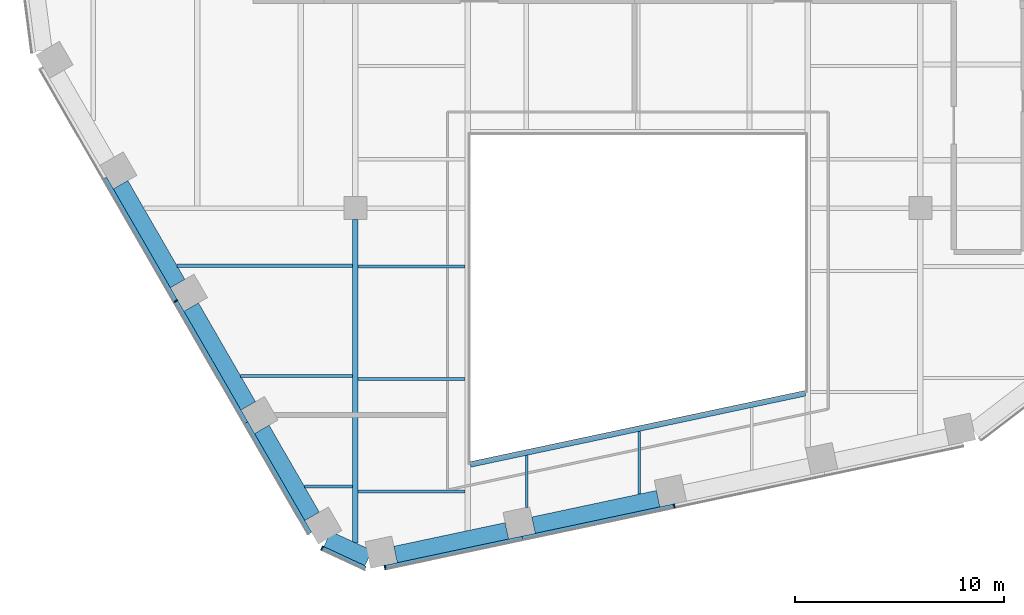
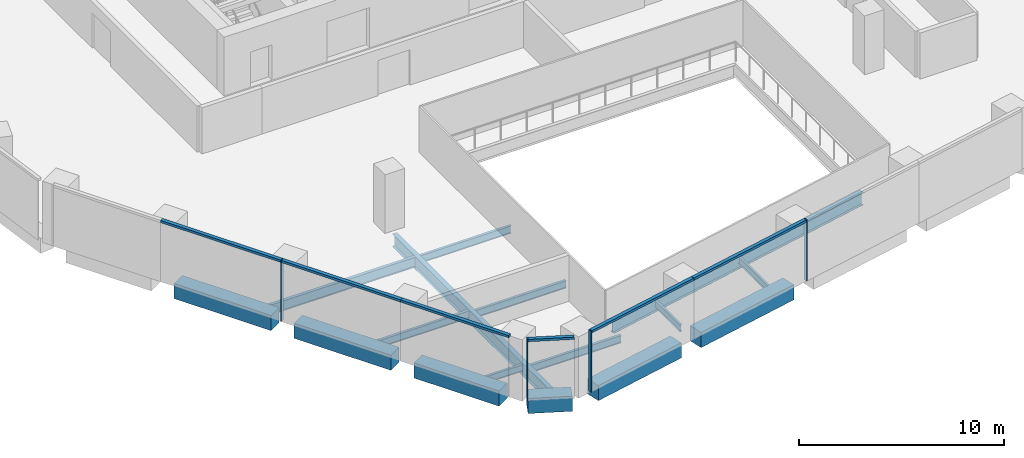
# One storey, part 2 of 16: 16 beams, 10 members, 3 elements without a shape of their own.
"""IFC4 building model written with IfcOpenShell, lengths in metres."""

from ifc_helpers import new_model, si_unit, direction, frame, origin, origin_2d, place, context, subcontext, project, spatial, rectangle, i_section, extrude, material, layer, layer_set, material_profile, profile_set, type_object, element, aggregate, save


model = new_model("IFC4")

# Units and contexts
model_context = context("Model", 3, precision=1e-05, world=origin(), true_north=direction((0.0, 1.0)))
body_context = subcontext(model_context, "Body", "Model", "MODEL_VIEW")
ifc_project = project(units=[si_unit("LENGTHUNIT", "METRE"), si_unit("AREAUNIT", "SQUARE_METRE"), si_unit("VOLUMEUNIT", "CUBIC_METRE"), si_unit("PLANEANGLEUNIT", "RADIAN"), si_unit("MASSUNIT", "GRAM", prefix="KILO")], contexts=[model_context])

# Site, building, storey
site_placement = place(None, origin())
site = spatial("IfcSite", under=ifc_project, at=site_placement, CompositionType="ELEMENT")
building_placement = place(site_placement, origin())
building = spatial("IfcBuilding", under=site, at=building_placement, Name="Isthmus Gate Tower", CompositionType="ELEMENT")
storey_placement = place(building_placement, frame((0.0, 0.0, 196.35009765625)))
storey = spatial("IfcBuildingStorey", under=building, at=storey_placement, Name="L49", CompositionType="ELEMENT", Elevation=196.35009765625)

# Curtain wall, member
ifc_material_1 = material(Name="Aluminium, pale champagne anodised", Category="aluminium")
ifc_layer = layer(ifc_material_1, 0.199951171875)
ifc_layer_set = layer_set([ifc_layer], Name="CW-1 UNITISED CURTAIN WALL 200 DEEP")
curtain_wall_type = type_object("IfcCurtainWallType", Name="CW-1 UNITISED CURTAIN WALL 200 DEEP", PredefinedType="NOTDEFINED", material=ifc_layer_set)
curtain_wall_1_placement = place(storey_placement, origin())
curtain_wall_1 = element("IfcCurtainWall", 1, at=curtain_wall_1_placement, inside=storey, type_object=curtain_wall_type, Name="CW-1 SW L49", PredefinedType="NOTDEFINED")
ifc_material_2 = material(Name="Aluminium, pale champagne anodised", Category="aluminium")
ifc_material_profile_1 = material_profile(ifc_material_2, rectangle(XDim=0.06005859375, YDim=0.199951171875, at=origin_2d()), Name="60x200")
ifc_profile_set_1 = profile_set([ifc_material_profile_1], Name="Aluminium, pale champagne anodised")
member_type_1 = type_object("IfcMemberType", Name="CW-1 MULLION 60 X 200", PredefinedType="MULLION", material=ifc_profile_set_1)
member_1_placement = place(storey_placement, frame((-22.08935546875, -17.93994140625, 0.0), z_axis=(0.0, 0.0, 1.0), x_axis=(0.5, -0.866025403784, 0.0)))
member_1 = element("IfcMember", 2, at=member_1_placement, type_object=member_type_1, Name="CW-1 mullion", PredefinedType="MULLION", context=body_context, shape_type="SweptSolid", body=[
    extrude(rectangle(XDim=0.06005859375, YDim=0.199951171875, at=origin_2d()), origin(), (0.0, 0.0, 1.0), 3.64990234375),
])

curtain_wall_2_placement = place(storey_placement, origin())
curtain_wall_2 = element("IfcCurtainWall", 3, at=curtain_wall_2_placement, inside=storey, type_object=curtain_wall_type, Name="CW-1 SW-S L49", PredefinedType="NOTDEFINED")
member_2_placement = place(storey_placement, frame((-15.091064453125, -29.74755859375, 0.0), z_axis=(0.0, 0.0, 1.0), x_axis=(0.907256261367, -0.420578264073, 0.0)))
member_2 = element("IfcMember", 4, at=member_2_placement, type_object=member_type_1, Name="CW-1 mullion", PredefinedType="MULLION", context=body_context, shape_type="SweptSolid", body=[
    extrude(rectangle(XDim=0.06005859375, YDim=0.199951171875, at=origin_2d()), origin(), (0.0, 0.0, 1.0), 3.64990234375),
])

# Curtain wall, members
curtain_wall_3_placement = place(storey_placement, origin())
curtain_wall_3 = element("IfcCurtainWall", 5, at=curtain_wall_3_placement, inside=storey, type_object=curtain_wall_type, Name="CW-1 S L49", PredefinedType="NOTDEFINED")
member_3_placement = place(storey_placement, frame((-12.082763671875, -30.67041015625, 0.0), z_axis=(0.0, 0.0, 1.0), x_axis=(0.978147600734, 0.207911690818, 0.0)))
member_3 = element("IfcMember", 6, at=member_3_placement, type_object=member_type_1, Name="CW-1 mullion", PredefinedType="MULLION", context=body_context, shape_type="SweptSolid", body=[
    extrude(rectangle(XDim=0.06005859375, YDim=0.199951171875, at=origin_2d()), origin(), (0.0, 0.0, 1.0), 3.64990234375),
])
member_4_placement = place(storey_placement, frame((1.740234375, -27.732421875, 0.0), z_axis=(0.0, 0.0, 1.0), x_axis=(0.978147600734, 0.207911690818, 0.0)))
member_4 = element("IfcMember", 7, at=member_4_placement, type_object=member_type_1, Name="CW-1 mullion", PredefinedType="MULLION", context=body_context, shape_type="SweptSolid", body=[
    extrude(rectangle(XDim=0.06005859375, YDim=0.199951171875, at=origin_2d()), origin(), (0.0, 0.0, 1.0), 3.64990234375),
])

# Member
ifc_material_3 = material(Name="Aluminium, pale champagne anodised", Category="aluminium")
ifc_material_profile_2 = material_profile(ifc_material_3, rectangle(XDim=0.199951171875, YDim=0.139892578125, at=origin_2d()), Name="200x140")
ifc_profile_set_2 = profile_set([ifc_material_profile_2], Name="Aluminium, pale champagne anodised")
member_type_2 = type_object("IfcMemberType", Name="CW-1 TRANSOM 200 X 140", PredefinedType="USERDEFINED", material=ifc_profile_set_2)
member_5_placement = place(storey_placement, frame((-25.4794921875, -12.068115234375, 3.579833984375), z_axis=(0.49998230858, -0.86603561769, 0.0), x_axis=(0.86603561769, 0.49998230858, 0.0)))
member_5 = element("IfcMember", 8, at=member_5_placement, type_object=member_type_2, Name="CW-1 transom", ObjectType="TRANSOM", PredefinedType="USERDEFINED", context=body_context, shape_type="SweptSolid", body=[
    extrude(rectangle(XDim=0.199951171875, YDim=0.139892578125, at=origin_2d()), origin(), (0.0, 0.0, 1.0), 6.750244140625),
])

member_6_placement = place(storey_placement, frame((-22.074462890625, -17.9658203125, 3.579833984375), z_axis=(0.499981482168, -0.866036094796, 0.0), x_axis=(0.866036094796, 0.499981482168, 0.0)))
member_6 = element("IfcMember", 9, at=member_6_placement, type_object=member_type_2, Name="CW-1 transom", ObjectType="TRANSOM", PredefinedType="USERDEFINED", context=body_context, shape_type="SweptSolid", body=[
    extrude(rectangle(XDim=0.199951171875, YDim=0.139892578125, at=origin_2d()), origin(), (0.0, 0.0, 1.0), 6.690185546875),
])

member_7_placement = place(storey_placement, frame((-18.7294921875, -23.759765625, 3.579833984375), z_axis=(0.499991521122, -0.866030299012, 0.0), x_axis=(0.866030299012, 0.499991521122, 0.0)))
member_7 = element("IfcMember", 10, at=member_7_placement, type_object=member_type_2, Name="CW-1 transom", ObjectType="TRANSOM", PredefinedType="USERDEFINED", context=body_context, shape_type="SweptSolid", body=[
    extrude(rectangle(XDim=0.199951171875, YDim=0.139892578125, at=origin_2d()), origin(), (0.0, 0.0, 1.0), 6.10009765625),
])

aggregate(curtain_wall_1, [member_5, member_1, member_6, member_7])

member_8_placement = place(storey_placement, frame((-15.06396484375, -29.76025390625, 3.579833984375), z_axis=(0.907246225564, -0.420599912268, 0.0), x_axis=(0.420599912268, 0.907246225564, 0.0)))
member_8 = element("IfcMember", 11, at=member_8_placement, type_object=member_type_2, Name="CW-1 transom", ObjectType="TRANSOM", PredefinedType="USERDEFINED", context=body_context, shape_type="SweptSolid", body=[
    extrude(rectangle(XDim=0.199951171875, YDim=0.139892578125, at=origin_2d()), origin(), (0.0, 0.0, 1.0), 2.258544921875),
])

aggregate(curtain_wall_2, [member_2, member_8])

member_9_placement = place(storey_placement, frame((-12.05322265625, -30.664306640625, 3.579833984375), z_axis=(0.97814231579, 0.207936552972, 0.0), x_axis=(-0.207936552972, 0.97814231579, 0.0)))
member_9 = element("IfcMember", 12, at=member_9_placement, type_object=member_type_2, Name="CW-1 transom", ObjectType="TRANSOM", PredefinedType="USERDEFINED", context=body_context, shape_type="SweptSolid", body=[
    extrude(rectangle(XDim=0.199951171875, YDim=0.139892578125, at=origin_2d()), origin(), (0.0, 0.0, 1.0), 6.6806640625),
])

member_10_placement = place(storey_placement, frame((-5.5185546875, -29.275146484375, 3.579833984375), z_axis=(0.978147683684, 0.207911300568, 0.0), x_axis=(-0.207911300568, 0.978147683684, 0.0)))
member_10 = element("IfcMember", 13, at=member_10_placement, type_object=member_type_2, Name="CW-1 transom", ObjectType="TRANSOM", PredefinedType="USERDEFINED", context=body_context, shape_type="SweptSolid", body=[
    extrude(rectangle(XDim=0.199951171875, YDim=0.139892578125, at=origin_2d()), origin(), (0.0, 0.0, 1.0), 7.390869140625),
])

aggregate(curtain_wall_3, [member_3, member_9, member_10, member_4])

# Beams
ifc_material_4 = material(Name="Concrete f'c 60 MPa", Category="concrete")
ifc_material_profile_3 = material_profile(ifc_material_4, rectangle(XDim=0.800048828125, YDim=0.89990234375, at=origin_2d()), Name="RC 800X900")
ifc_profile_set_3 = profile_set([ifc_material_profile_3], Name="Concrete f'c 60 MPa")
beam_type_1 = type_object("IfcBeamType", Name="RC SPANDREL 800 X 900", PredefinedType="SPANDREL", material=ifc_profile_set_3)
beam_1_placement = place(storey_placement, frame((0.970947265625, -27.384765625, -0.4501953125), z_axis=(-0.978146012851, -0.207919161079, 0.0), x_axis=(0.207919161079, -0.978146012851, 0.0)))
element("IfcBeam", 14, at=beam_1_placement, inside=storey, type_object=beam_type_1, Name="str-spandrel-L49-13", PredefinedType="SPANDREL", context=body_context, shape_type="SweptSolid", body=[
    extrude(rectangle(XDim=0.800048828125, YDim=0.89990234375, at=origin_2d()), origin(), (0.0, 0.0, 1.0), 6.090576171875),
])
beam_2_placement = place(storey_placement, frame((-6.25830078125, -28.92138671875, -0.4501953125), z_axis=(-0.978150410773, -0.207898470186, 0.0), x_axis=(0.207898470186, -0.978150410773, 0.0)))
element("IfcBeam", 15, at=beam_2_placement, inside=storey, type_object=beam_type_1, Name="str-spandrel-L49-14", PredefinedType="SPANDREL", context=body_context, shape_type="SweptSolid", body=[
    extrude(rectangle(XDim=0.800048828125, YDim=0.89990234375, at=origin_2d()), origin(), (0.0, 0.0, 1.0), 5.440673828125),
])
beam_3_placement = place(storey_placement, frame((-12.87255859375, -30.224853515625, -0.4501953125), z_axis=(-0.907290744498, 0.420503870314, 0.0), x_axis=(-0.420503870314, -0.907290744498, 0.0)))
element("IfcBeam", 16, at=beam_3_placement, inside=storey, type_object=beam_type_1, Name="str-spandrel-L49-15", PredefinedType="SPANDREL", context=body_context, shape_type="SweptSolid", body=[
    extrude(rectangle(XDim=0.800048828125, YDim=0.89990234375, at=origin_2d()), origin(), (0.0, 0.0, 1.0), 2.173095703125),
])
beam_4_placement = place(storey_placement, frame((-15.5712890625, -28.229736328125, -0.4501953125), z_axis=(-0.500017431331, 0.866015339567, 0.0), x_axis=(-0.866015339567, -0.500017431331, 0.0)))
element("IfcBeam", 17, at=beam_4_placement, inside=storey, type_object=beam_type_1, Name="str-spandrel-L49-16", PredefinedType="SPANDREL", context=body_context, shape_type="SweptSolid", body=[
    extrude(rectangle(XDim=0.800048828125, YDim=0.89990234375, at=origin_2d()), origin(), (0.0, 0.0, 1.0), 4.800048828125),
])
for number, where, z_axis, x_axis, name in (
    (18, (-18.621337890625, -22.94677734375, -0.4501953125), (-0.500002931134, 0.866023711487, 0.0), (-0.866023711487, -0.500002931134, 0.0), "str-spandrel-L49-17"),
    (19, (-21.996337890625, -17.10107421875, -0.4501953125), (-0.500002931134, 0.866023711487, 0.0), (-0.866023711487, -0.500002931134, 0.0), "str-spandrel-L49-18"),
):
    element("IfcBeam", number, at=place(storey_placement, frame(where, z_axis=z_axis, x_axis=x_axis)), inside=storey, type_object=beam_type_1, Name=name, PredefinedType="SPANDREL", context=body_context, shape_type="SweptSolid", body=[
        extrude(rectangle(XDim=0.800048828125, YDim=0.89990234375, at=origin_2d()), origin(), (0.0, 0.0, 1.0), 5.4501953125),
    ])
ifc_material_5 = material(Name="Structural steel ASTM A992 Gr 50", Category="steel")
ifc_material_profile_4 = material_profile(ifc_material_5, i_section(OverallWidth=0.1396484375, OverallDepth=0.4033203125, WebThickness=0.00634765625, FlangeThickness=0.010986328125, at=origin_2d()), Name="W16X31")
ifc_profile_set_4 = profile_set([ifc_material_profile_4], Name="Structural steel ASTM A992 Gr 50")
beam_type_2 = type_object("IfcBeamType", Name="STEEL FLOOR BEAM W16X31", PredefinedType="JOIST", material=ifc_profile_set_4)
beam_5_placement = place(storey_placement, frame((-15.937744140625, -26.795166015625, -0.351806640625), z_axis=(1.0, 0.0, 0.0), x_axis=(0.0, 1.0, 0.0)))
element("IfcBeam", 20, at=beam_5_placement, inside=storey, type_object=beam_type_2, Name="str-beam-L49-02-00", PredefinedType="JOIST", context=body_context, shape_type="SweptSolid", body=[
    extrude(i_section(OverallWidth=0.1396484375, OverallDepth=0.4033203125, WebThickness=0.00634765625, FlangeThickness=0.010986328125, at=origin_2d()), origin(), (0.0, 0.0, 1.0), 2.304443359375),
])
beam_6_placement = place(storey_placement, frame((-5.311279296875, -27.7998046875, -0.351806640625), z_axis=(0.0, 1.0, 0.0), x_axis=(-1.0, 0.0, 0.0)))
element("IfcBeam", 21, at=beam_6_placement, inside=storey, type_object=beam_type_2, Name="str-beam-L49-07-00", PredefinedType="JOIST", context=body_context, shape_type="SweptSolid", body=[
    extrude(i_section(OverallWidth=0.1396484375, OverallDepth=0.4033203125, WebThickness=0.00634765625, FlangeThickness=0.010986328125, at=origin_2d()), origin(), (0.0, 0.0, 1.0), 2.487548828125),
])
beam_7_placement = place(storey_placement, frame((0.06591796875, -27.168212890625, -0.351806640625), z_axis=(0.0, 1.0, 0.0), x_axis=(-1.0, 0.0, 0.0)))
element("IfcBeam", 22, at=beam_7_placement, inside=storey, type_object=beam_type_2, Name="str-beam-L49-07-01", PredefinedType="JOIST", context=body_context, shape_type="SweptSolid", body=[
    extrude(i_section(OverallWidth=0.1396484375, OverallDepth=0.4033203125, WebThickness=0.00634765625, FlangeThickness=0.010986328125, at=origin_2d()), origin(), (0.0, 0.0, 1.0), 2.9990234375),
])
ifc_material_6 = material(Name="Structural steel ASTM A992 Gr 50", Category="steel")
ifc_material_profile_5 = material_profile(ifc_material_6, i_section(OverallWidth=0.15234375, OverallDepth=0.45068359375, WebThickness=0.0078125, FlangeThickness=0.010986328125, at=origin_2d()), Name="W18X35")
ifc_profile_set_5 = profile_set([ifc_material_profile_5], Name="Structural steel ASTM A992 Gr 50")
beam_type_3 = type_object("IfcBeamType", Name="STEEL FLOOR BEAM W18X35", PredefinedType="JOIST", material=ifc_profile_set_5)
beam_8_placement = place(storey_placement, frame((-18.981689453125, -21.52294921875, -0.37548828125), z_axis=(1.0, 0.0, 0.0), x_axis=(0.0, 1.0, 0.0)))
element("IfcBeam", 23, at=beam_8_placement, inside=storey, type_object=beam_type_3, Name="str-beam-L49-02-01", PredefinedType="JOIST", context=body_context, shape_type="SweptSolid", body=[
    extrude(i_section(OverallWidth=0.15234375, OverallDepth=0.45068359375, WebThickness=0.0078125, FlangeThickness=0.010986328125, at=origin_2d()), origin(), (0.0, 0.0, 1.0), 5.348388671875),
])
for number, where, z_axis, x_axis, name in (
    (24, (-13.36669921875, -27.04736328125, -0.37548828125), (1.0, 0.0, 0.0), (0.0, 1.0, 0.0), "str-beam-L49-03-00"),
    (25, (-13.36669921875, -21.67041015625, -0.37548828125), (1.0, 0.0, 0.0), (0.0, 1.0, 0.0), "str-beam-L49-03-01"),
    (26, (-13.36669921875, -16.293212890625, -0.37548828125), (1.0, 0.0, 0.0), (0.0, 1.0, 0.0), "str-beam-L49-03-02"),
):
    element("IfcBeam", number, at=place(storey_placement, frame(where, z_axis=z_axis, x_axis=x_axis)), inside=storey, type_object=beam_type_3, Name=name, PredefinedType="JOIST", context=body_context, shape_type="SweptSolid", body=[
        extrude(i_section(OverallWidth=0.15234375, OverallDepth=0.45068359375, WebThickness=0.0078125, FlangeThickness=0.010986328125, at=origin_2d()), origin(), (0.0, 0.0, 1.0), 5.10009765625),
    ])
ifc_material_7 = material(Name="Structural steel ASTM A992 Gr 50", Category="steel")
ifc_material_profile_6 = material_profile(ifc_material_7, i_section(OverallWidth=0.177734375, OverallDepth=0.60009765625, WebThickness=0.009521484375, FlangeThickness=0.0126953125, at=origin_2d()), Name="W24X55")
ifc_profile_set_6 = profile_set([ifc_material_profile_6], Name="Structural steel ASTM A992 Gr 50")
beam_type_4 = type_object("IfcBeamType", Name="STEEL FLOOR BEAM W24X55", PredefinedType="JOIST", material=ifc_profile_set_6)
beam_9_placement = place(storey_placement, frame((-22.025634765625, -16.25048828125, -0.4501953125), z_axis=(1.0, 0.0, 0.0), x_axis=(0.0, 1.0, 0.0)))
element("IfcBeam", 27, at=beam_9_placement, inside=storey, type_object=beam_type_4, Name="str-beam-L49-02-02", PredefinedType="JOIST", context=body_context, shape_type="SweptSolid", body=[
    extrude(i_section(OverallWidth=0.177734375, OverallDepth=0.60009765625, WebThickness=0.009521484375, FlangeThickness=0.0126953125, at=origin_2d()), origin(), (0.0, 0.0, 1.0), 8.392333984375),
])
ifc_material_8 = material(Name="Structural steel ASTM A992 Gr 50", Category="steel")
ifc_material_profile_7 = material_profile(ifc_material_8, i_section(OverallWidth=0.2666015625, OverallDepth=0.7587890625, WebThickness=0.014404296875, FlangeThickness=0.01904296875, at=origin_2d()), Name="W30X108")
ifc_profile_set_7 = profile_set([ifc_material_profile_7], Name="Structural steel ASTM A992 Gr 50")
beam_type_5 = type_object("IfcBeamType", Name="STEEL GIRDER W30X108", PredefinedType="BEAM", material=ifc_profile_set_7)
beam_10_placement = place(storey_placement, frame((-13.5, -29.4931640625, -0.529541015625), z_axis=(0.0, 1.0, 0.0), x_axis=(-1.0, 0.0, 0.0)))
element("IfcBeam", 28, at=beam_10_placement, inside=storey, type_object=beam_type_5, Name="str-girder-L49-07", PredefinedType="BEAM", context=body_context, shape_type="SweptSolid", body=[
    extrude(i_section(OverallWidth=0.2666015625, OverallDepth=0.7587890625, WebThickness=0.014404296875, FlangeThickness=0.01904296875, at=origin_2d()), origin(), (0.0, 0.0, 1.0), 15.443115234375),
])
ifc_material_9 = material(Name="Structural steel ASTM A992 Gr 50", Category="steel")
ifc_material_profile_8 = material_profile(ifc_material_9, i_section(OverallWidth=0.2666015625, OverallDepth=0.7587890625, WebThickness=0.014404296875, FlangeThickness=0.01904296875, at=origin_2d()), Name="W30X108")
ifc_profile_set_8 = profile_set([ifc_material_profile_8], Name="Structural steel ASTM A992 Gr 50")
beam_type_6 = type_object("IfcBeamType", Name="STEEL TRIMMER W30X108", PredefinedType="BEAM", material=ifc_profile_set_8)
beam_11_placement = place(storey_placement, frame((-8.0, -25.747314453125, -0.529541015625), z_axis=(0.978147924985, 0.20791016533, 0.0), x_axis=(-0.20791016533, 0.978147924985, 0.0)))
element("IfcBeam", 29, at=beam_11_placement, inside=storey, type_object=beam_type_6, Name="str-trimmer-L49-03", PredefinedType="BEAM", context=body_context, shape_type="SweptSolid", body=[
    extrude(i_section(OverallWidth=0.2666015625, OverallDepth=0.7587890625, WebThickness=0.014404296875, FlangeThickness=0.01904296875, at=origin_2d()), origin(), (0.0, 0.0, 1.0), 16.357421875),
])

save(model, "model.ifc")
